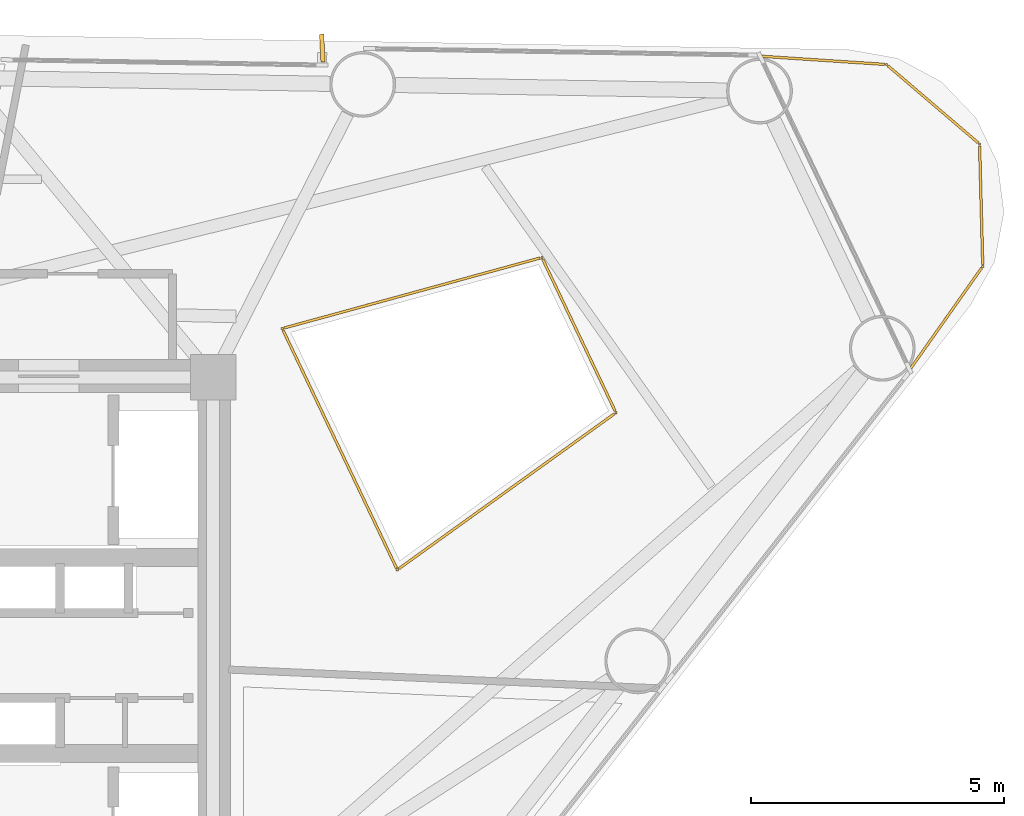
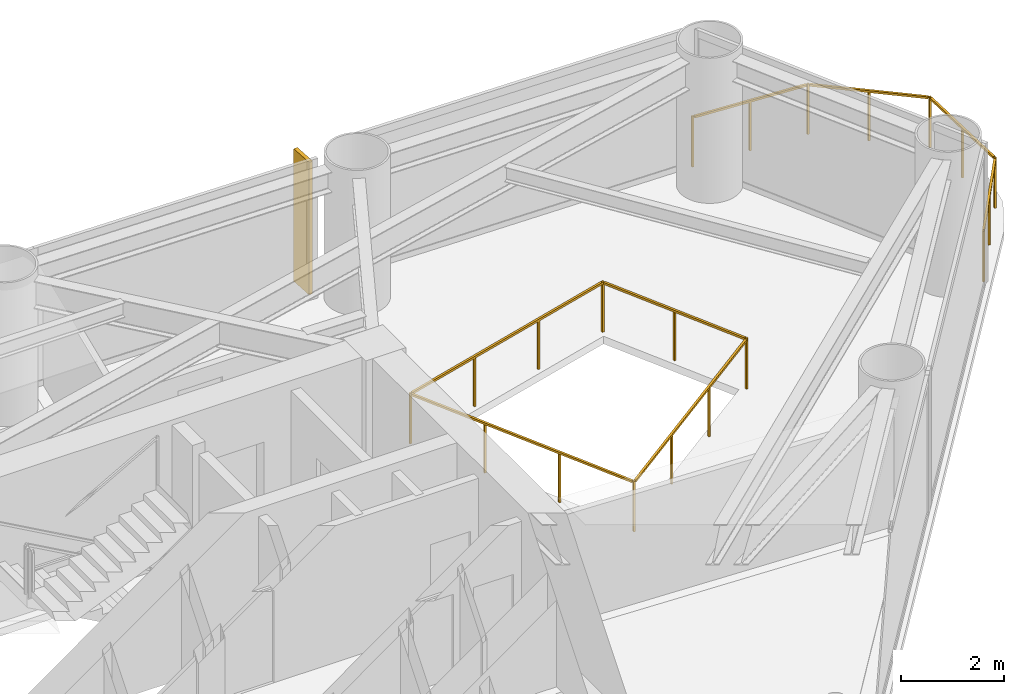
# One storey, part 10 of 10: 2 railings, 1 shading device.
"""IFC4 building model written with IfcOpenShell, lengths in metres."""

from ifc_helpers import new_model, si_unit, direction, frame, origin, origin_2d, place, context, subcontext, project, spatial, rectangle, extrude, source, transform, mapped, material, material_profile, profile_set, type_object, element, save


model = new_model("IFC4")

# Units and contexts
model_context = context("Model", 3, precision=1e-05, world=origin(), true_north=direction((0.0, 1.0)))
body_context = subcontext(model_context, "Body", "Model", "MODEL_VIEW")
ifc_project = project(units=[si_unit("LENGTHUNIT", "METRE"), si_unit("AREAUNIT", "SQUARE_METRE"), si_unit("VOLUMEUNIT", "CUBIC_METRE"), si_unit("PLANEANGLEUNIT", "RADIAN"), si_unit("MASSUNIT", "GRAM", prefix="KILO")], contexts=[model_context])

# Site, building, storey
site_placement = place(None, origin())
site = spatial("IfcSite", under=ifc_project, at=site_placement, CompositionType="ELEMENT")
building_placement = place(site_placement, origin())
building = spatial("IfcBuilding", under=site, at=building_placement, Name="Yunling Apex Tower", CompositionType="ELEMENT")
storey_placement = place(building_placement, frame((0.0, 0.0, 129.5)))
storey = spatial("IfcBuildingStorey", under=building, at=storey_placement, Name="L31", CompositionType="ELEMENT", Elevation=129.5)

# Railings
ifc_material = material(Name="Bronze anodised aluminium", Category="aluminium")
railing_type = type_object("IfcRailingType", Name="RL-BAL-1200", PredefinedType="BALUSTRADE", material=ifc_material)
railing_1_placement = place(storey_placement, frame((16.8701171875, 11.853515625, 0.0)))
element("IfcRailing", 1, at=railing_1_placement, inside=storey, type_object=railing_type, Name="RL-CRNSILL-L31-1", PredefinedType="BALUSTRADE", context=body_context, shape_type="SweptSolid", body=[
    extrude(rectangle(XDim=0.0439453125, YDim=0.0439453125, at=origin_2d()), origin(), (0.0, 0.0, 1.0), 1.199951171875),
    extrude(rectangle(XDim=0.0439453125, YDim=0.0439453125, at=origin_2d()), frame((2.498779296875, -0.164794921875, 0.0)), (0.0, 0.0, 1.0), 1.199951171875),
    extrude(rectangle(XDim=0.050048828125, YDim=0.050048828125, at=origin_2d()), frame((0.038330078125, -0.00244140625, 1.1748046875), z_axis=(0.99783235592, -0.065807214484, 0.0), x_axis=(0.065807214484, 0.99783235592, 0.0)), (0.0, 0.0, 1.0), 2.427490234375),
    extrude(rectangle(XDim=0.0439453125, YDim=0.0439453125, at=origin_2d()), frame((1.24951171875, -0.08251953125, 0.0)), (0.0, 0.0, 1.0), 1.14599609375),
    extrude(rectangle(XDim=0.0439453125, YDim=0.0439453125, at=origin_2d()), frame((4.339599609375, -1.737060546875, 0.0)), (0.0, 0.0, 1.0), 1.199951171875),
    extrude(rectangle(XDim=0.050048828125, YDim=0.050048828125, at=origin_2d()), frame((2.52783203125, -0.189697265625, 1.1748046875), z_axis=(0.760394429478, -0.649461555151, 0.0), x_axis=(0.649461555151, 0.760394429478, 0.0)), (0.0, 0.0, 1.0), 2.34423828125),
    extrude(rectangle(XDim=0.0439453125, YDim=0.0439453125, at=origin_2d()), frame((3.419189453125, -0.950927734375, 0.0)), (0.0, 0.0, 1.0), 1.14599609375),
    extrude(rectangle(XDim=0.0439453125, YDim=0.0439453125, at=origin_2d()), frame((4.403076171875, -4.156982421875, 0.0)), (0.0, 0.0, 1.0), 1.199951171875),
    extrude(rectangle(XDim=0.050048828125, YDim=0.050048828125, at=origin_2d()), frame((4.340576171875, -1.775390625, 1.1748046875), z_axis=(0.026221811823, -0.999656149176, 0.0), x_axis=(0.999656149176, 0.026221811823, 0.0)), (0.0, 0.0, 1.0), 2.343994140625),
    extrude(rectangle(XDim=0.0439453125, YDim=0.0439453125, at=origin_2d()), frame((4.371337890625, -2.947021484375, 0.0)), (0.0, 0.0, 1.0), 1.14599609375),
    extrude(rectangle(XDim=0.0439453125, YDim=0.0439453125, at=origin_2d()), frame((2.95849609375, -6.20263671875, 0.0)), (0.0, 0.0, 1.0), 1.199951171875),
    extrude(rectangle(XDim=0.050048828125, YDim=0.050048828125, at=origin_2d()), frame((4.380859375, -4.188232421875, 1.1748046875), z_axis=(-0.576840114355, -0.816857075914, 0.0), x_axis=(0.816857075914, -0.576840114355, 0.0)), (0.0, 0.0, 1.0), 2.427734375),
    extrude(rectangle(XDim=0.0439453125, YDim=0.0439453125, at=origin_2d()), frame((3.6806640625, -5.1796875, 0.0)), (0.0, 0.0, 1.0), 1.14599609375),
])
railing_2_placement = place(storey_placement, frame((7.41845703125, 6.46728515625, 0.0)))
element("IfcRailing", 2, at=railing_2_placement, inside=storey, type_object=railing_type, Name="RL-TATR-L31", PredefinedType="BALUSTRADE", context=body_context, shape_type="SweptSolid", body=[
    extrude(rectangle(XDim=0.0439453125, YDim=0.0439453125, at=origin_2d()), origin(), (0.0, 0.0, 1.0), 1.199951171875),
    extrude(rectangle(XDim=0.0439453125, YDim=0.0439453125, at=origin_2d()), frame((5.135498046875, 1.404541015625, 0.0)), (0.0, 0.0, 1.0), 1.199951171875),
    extrude(rectangle(XDim=0.050048828125, YDim=0.050048828125, at=origin_2d()), frame((0.036865234375, 0.010009765625, 1.1748046875), z_axis=(0.964575212807, 0.263807996162, 0.0), x_axis=(-0.263807996162, 0.964575212807, 0.0)), (0.0, 0.0, 1.0), 5.24755859375),
    extrude(rectangle(XDim=0.0439453125, YDim=0.0439453125, at=origin_2d()), frame((1.7119140625, 0.46826171875, 0.0)), (0.0, 0.0, 1.0), 1.14599609375),
    extrude(rectangle(XDim=0.0439453125, YDim=0.0439453125, at=origin_2d()), frame((3.423583984375, 0.936279296875, 0.0)), (0.0, 0.0, 1.0), 1.14599609375),
    extrude(rectangle(XDim=0.0439453125, YDim=0.0439453125, at=origin_2d()), frame((6.599609375, -1.664794921875, 0.0)), (0.0, 0.0, 1.0), 1.199951171875),
    extrude(rectangle(XDim=0.050048828125, YDim=0.050048828125, at=origin_2d()), frame((5.152099609375, 1.369873046875, 1.1748046875), z_axis=(0.430538211034, -0.902572351028, 0.0), x_axis=(0.902572351028, 0.430538211034, 0.0)), (0.0, 0.0, 1.0), 3.323974609375),
    extrude(rectangle(XDim=0.0439453125, YDim=0.0439453125, at=origin_2d()), frame((5.86767578125, -0.130126953125, 0.0)), (0.0, 0.0, 1.0), 1.14599609375),
    extrude(rectangle(XDim=0.0439453125, YDim=0.0439453125, at=origin_2d()), frame((2.276123046875, -4.77197265625, 0.0)), (0.0, 0.0, 1.0), 1.199951171875),
    extrude(rectangle(XDim=0.050048828125, YDim=0.050048828125, at=origin_2d()), frame((6.568603515625, -1.687255859375, 1.1748046875), z_axis=(-0.812044572196, -0.583595418733, 0.0), x_axis=(0.583595418733, -0.812044572196, 0.0)), (0.0, 0.0, 1.0), 5.24755859375),
    extrude(rectangle(XDim=0.0439453125, YDim=0.0439453125, at=origin_2d()), frame((5.158447265625, -2.700439453125, 0.0)), (0.0, 0.0, 1.0), 1.14599609375),
    extrude(rectangle(XDim=0.0439453125, YDim=0.0439453125, at=origin_2d()), frame((3.71728515625, -3.736328125, 0.0)), (0.0, 0.0, 1.0), 1.14599609375),
    extrude(rectangle(XDim=0.050048828125, YDim=0.050048828125, at=origin_2d()), frame((2.259521484375, -4.7373046875, 1.1748046875), z_axis=(-0.430512460038, 0.902584634121, 0.0), x_axis=(-0.902584634121, -0.430512460038, 0.0)), (0.0, 0.0, 1.0), 5.21044921875),
    extrude(rectangle(XDim=0.0439453125, YDim=0.0439453125, at=origin_2d()), frame((1.517333984375, -3.181396484375, 0.0)), (0.0, 0.0, 1.0), 1.14599609375),
    extrude(rectangle(XDim=0.0439453125, YDim=0.0439453125, at=origin_2d()), frame((0.7587890625, -1.590576171875, 0.0)), (0.0, 0.0, 1.0), 1.14599609375),
])

# Shading device
ifc_material_profile = material_profile(ifc_material, rectangle(XDim=0.0849609375, YDim=0.550048828125, at=origin_2d()))
ifc_profile_set = profile_set([ifc_material_profile], Name="Bronze anodised aluminium")
shading_device_type = type_object("IfcShadingDeviceType", Name="FN-BRZ-3", PredefinedType="USERDEFINED", material=ifc_profile_set)
shared_shape = source(origin(), body_context, "Body", "SweptSolid", [
    extrude(rectangle(XDim=0.0849609375, YDim=0.550048828125, at=origin_2d()), origin(), (0.0, 0.0, 1.0), 3.14990234375),
])
shading_device_placement = place(storey_placement, frame((8.21142578125, 12.013671875, 0.06005859375), z_axis=(0.0, 0.0, 1.0), x_axis=(-0.998814648022, -0.048675444496, 0.0)))
element("IfcShadingDevice", 3, at=shading_device_placement, inside=storey, type_object=shading_device_type, Name="CW-L31-F2-B2-FIN-01", ObjectType="FIN", PredefinedType="USERDEFINED", context=body_context, shape_type="MappedRepresentation", body=[
    mapped(shared_shape, transform((0.0, 0.0, 0.0), scale=1.0)),
])

save(model, "model.ifc")
